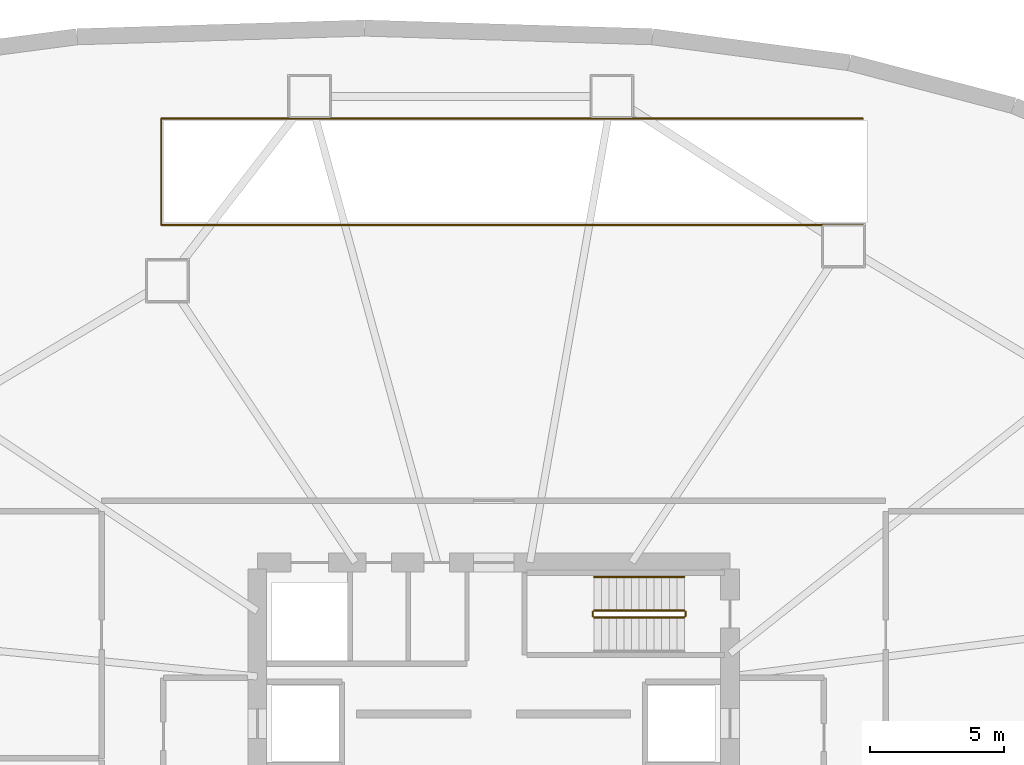
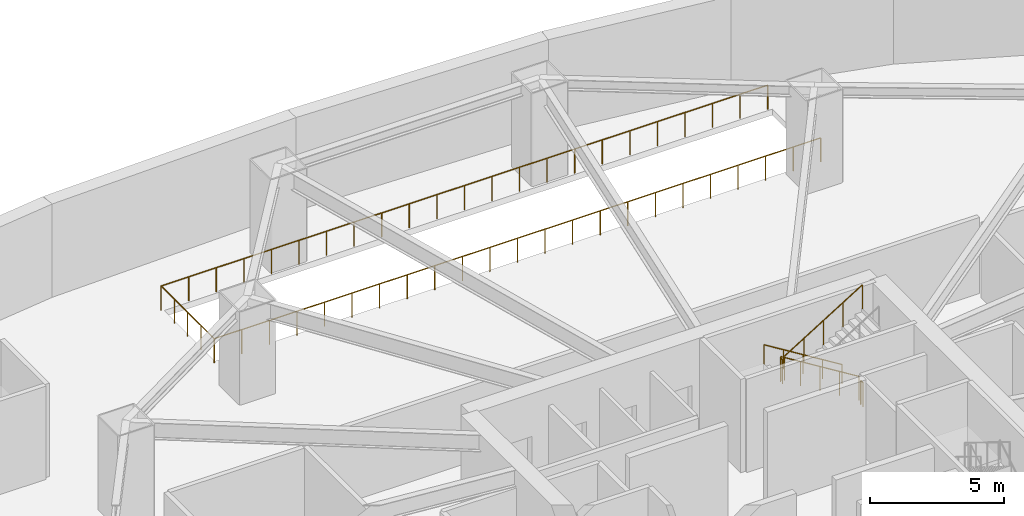
# One storey, part 10 of 10: 8 railings.
"""IFC4 building model written with IfcOpenShell, lengths in metres."""

from ifc_helpers import new_model, si_unit, direction, frame, origin, origin_2d, place, context, subcontext, project, spatial, circle, extrude, material, type_object, element, save


model = new_model("IFC4")

# Units and contexts
model_context = context("Model", 3, precision=1e-05, world=origin(), true_north=direction((0.0, 1.0)))
body_context = subcontext(model_context, "Body", "Model", "MODEL_VIEW")
ifc_project = project(units=[si_unit("LENGTHUNIT", "METRE"), si_unit("AREAUNIT", "SQUARE_METRE"), si_unit("VOLUMEUNIT", "CUBIC_METRE"), si_unit("PLANEANGLEUNIT", "RADIAN"), si_unit("MASSUNIT", "GRAM", prefix="KILO"), si_unit("THERMODYNAMICTEMPERATUREUNIT", "KELVIN")], contexts=[model_context])

# Site, building, storey
site_placement = place(None, origin())
site = spatial("IfcSite", under=ifc_project, at=site_placement, CompositionType="ELEMENT")
building_placement = place(site_placement, origin())
building = spatial("IfcBuilding", under=site, at=building_placement, Name="Kethvar Cultural Tower", CompositionType="ELEMENT")
storey_placement = place(building_placement, frame((0.0, 0.0, -4.5)))
storey = spatial("IfcBuildingStorey", under=building, at=storey_placement, Name="B01", CompositionType="ELEMENT", Elevation=-4.5)

# Railings
ifc_material = material(Name="Steel S355J2", Category="steel")
railing_type_1 = type_object("IfcRailingType", Name="RL-STAIR-GUARD", PredefinedType="BALUSTRADE", material=ifc_material)
railing_1_placement = place(storey_placement, frame((53.89990234375, 33.7099609375, 0.173095703125)))
element("IfcRailing", 1, at=railing_1_placement, inside=storey, type_object=railing_type_1, Name="B01 ST-03 stair guard 1", PredefinedType="BALUSTRADE", context=body_context, shape_type="SweptSolid", body=[
    extrude(circle(Radius=0.02392578125, at=origin_2d()), frame((0.0, 0.0, 1.09619140625), z_axis=(-0.850606129759, 0.0, 0.525803396734), x_axis=(0.0, -1.0, 0.0)), (0.0, 0.0, 1.0), 3.949951171875),
    extrude(circle(Radius=0.02099609375, at=origin_2d()), origin(), (0.0, 0.0, 1.0), 1.072021484375),
    extrude(circle(Radius=0.02099609375, at=origin_2d()), frame((-0.83984375, 0.0, 0.519287109375)), (0.0, 0.0, 1.0), 1.072021484375),
    extrude(circle(Radius=0.02099609375, at=origin_2d()), frame((-1.679931640625, 0.0, 1.03857421875)), (0.0, 0.0, 1.0), 1.072021484375),
    extrude(circle(Radius=0.02099609375, at=origin_2d()), frame((-2.52001953125, 0.0, 1.5576171875)), (0.0, 0.0, 1.0), 1.072021484375),
    extrude(circle(Radius=0.02099609375, at=origin_2d()), frame((-3.35986328125, 0.0, 2.076904296875)), (0.0, 0.0, 1.0), 1.072021484375),
])
railing_2_placement = place(storey_placement, frame((50.489990234375, 33.659912109375, 2.25)))
element("IfcRailing", 2, at=railing_2_placement, inside=storey, type_object=railing_type_1, Name="B01 ST-03 stair guard 2", PredefinedType="BALUSTRADE", context=body_context, shape_type="SweptSolid", body=[
    extrude(circle(Radius=0.02392578125, at=origin_2d()), frame((0.0, 0.0, 1.09619140625), z_axis=(0.0, -1.0, 0.0), x_axis=(1.0, 0.0, 0.0)), (0.0, 0.0, 1.0), 0.159912109375),
    extrude(circle(Radius=0.02099609375, at=origin_2d()), origin(), (0.0, 0.0, 1.0), 1.072021484375),
    extrude(circle(Radius=0.02099609375, at=origin_2d()), frame((0.0, -0.159912109375, 0.0)), (0.0, 0.0, 1.0), 1.072021484375),
])
railing_3_placement = place(storey_placement, frame((50.5400390625, 33.449951171875, 2.423095703125)))
element("IfcRailing", 3, at=railing_3_placement, inside=storey, type_object=railing_type_1, Name="B01 ST-03 stair guard 3", PredefinedType="BALUSTRADE", context=body_context, shape_type="SweptSolid", body=[
    extrude(circle(Radius=0.02392578125, at=origin_2d()), frame((0.0, 0.0, 1.09619140625), z_axis=(0.850606129759, 0.0, 0.525803396734), x_axis=(0.0, 1.0, 0.0)), (0.0, 0.0, 1.0), 3.949951171875),
    extrude(circle(Radius=0.02099609375, at=origin_2d()), origin(), (0.0, 0.0, 1.0), 1.072021484375),
    extrude(circle(Radius=0.02099609375, at=origin_2d()), frame((0.83984375, 0.0, 0.519287109375)), (0.0, 0.0, 1.0), 1.072021484375),
    extrude(circle(Radius=0.02099609375, at=origin_2d()), frame((1.679931640625, 0.0, 1.03857421875)), (0.0, 0.0, 1.0), 1.072021484375),
    extrude(circle(Radius=0.02099609375, at=origin_2d()), frame((2.52001953125, 0.0, 1.5576171875)), (0.0, 0.0, 1.0), 1.072021484375),
    extrude(circle(Radius=0.02099609375, at=origin_2d()), frame((3.35986328125, 0.0, 2.076904296875)), (0.0, 0.0, 1.0), 1.072021484375),
])
railing_4_placement = place(storey_placement, frame((53.949951171875, 33.659912109375, 0.0)))
element("IfcRailing", 4, at=railing_4_placement, inside=storey, type_object=railing_type_1, Name="B01 ST-03 stair guard 4", PredefinedType="BALUSTRADE", context=body_context, shape_type="SweptSolid", body=[
    extrude(circle(Radius=0.02392578125, at=origin_2d()), frame((0.0, 0.0, 1.09619140625), z_axis=(0.0, -1.0, 0.0), x_axis=(1.0, 0.0, 0.0)), (0.0, 0.0, 1.0), 0.159912109375),
    extrude(circle(Radius=0.02099609375, at=origin_2d()), origin(), (0.0, 0.0, 1.0), 1.072021484375),
    extrude(circle(Radius=0.02099609375, at=origin_2d()), frame((0.0, -0.159912109375, 0.0)), (0.0, 0.0, 1.0), 1.072021484375),
])
railing_5_placement = place(storey_placement, frame((60.550048828125, 48.070068359375, 0.0)))
element("IfcRailing", 5, at=railing_5_placement, inside=storey, type_object=railing_type_1, Name="B01 Vehicle Ramp Well Deck Guard S", PredefinedType="BALUSTRADE", context=body_context, shape_type="SweptSolid", body=[
    extrude(circle(Radius=0.02392578125, at=origin_2d()), frame((0.0, 0.0, 1.09619140625), z_axis=(-1.0, 0.0, 0.0), x_axis=(0.0, -1.0, 0.0)), (0.0, 0.0, 1.0), 26.130126953125),
    extrude(circle(Radius=0.02099609375, at=origin_2d()), origin(), (0.0, 0.0, 1.0), 1.072021484375),
    extrude(circle(Radius=0.02099609375, at=origin_2d()), frame((-1.187744140625, 0.0, 0.0)), (0.0, 0.0, 1.0), 1.072021484375),
    extrude(circle(Radius=0.02099609375, at=origin_2d()), frame((-2.37548828125, 0.0, 0.0)), (0.0, 0.0, 1.0), 1.072021484375),
    extrude(circle(Radius=0.02099609375, at=origin_2d()), frame((-3.563232421875, 0.0, 0.0)), (0.0, 0.0, 1.0), 1.072021484375),
    extrude(circle(Radius=0.02099609375, at=origin_2d()), frame((-4.7509765625, 0.0, 0.0)), (0.0, 0.0, 1.0), 1.072021484375),
    extrude(circle(Radius=0.02099609375, at=origin_2d()), frame((-5.938720703125, 0.0, 0.0)), (0.0, 0.0, 1.0), 1.072021484375),
    extrude(circle(Radius=0.02099609375, at=origin_2d()), frame((-7.12646484375, 0.0, 0.0)), (0.0, 0.0, 1.0), 1.072021484375),
    extrude(circle(Radius=0.02099609375, at=origin_2d()), frame((-8.314208984375, 0.0, 0.0)), (0.0, 0.0, 1.0), 1.072021484375),
    extrude(circle(Radius=0.02099609375, at=origin_2d()), frame((-9.501953125, 0.0, 0.0)), (0.0, 0.0, 1.0), 1.072021484375),
    extrude(circle(Radius=0.02099609375, at=origin_2d()), frame((-10.689697265625, 0.0, 0.0)), (0.0, 0.0, 1.0), 1.072021484375),
    extrude(circle(Radius=0.02099609375, at=origin_2d()), frame((-11.87744140625, 0.0, 0.0)), (0.0, 0.0, 1.0), 1.072021484375),
    extrude(circle(Radius=0.02099609375, at=origin_2d()), frame((-13.06494140625, 0.0, 0.0)), (0.0, 0.0, 1.0), 1.072021484375),
    extrude(circle(Radius=0.02099609375, at=origin_2d()), frame((-14.252685546875, 0.0, 0.0)), (0.0, 0.0, 1.0), 1.072021484375),
    extrude(circle(Radius=0.02099609375, at=origin_2d()), frame((-15.4404296875, 0.0, 0.0)), (0.0, 0.0, 1.0), 1.072021484375),
    extrude(circle(Radius=0.02099609375, at=origin_2d()), frame((-16.628173828125, 0.0, 0.0)), (0.0, 0.0, 1.0), 1.072021484375),
    extrude(circle(Radius=0.02099609375, at=origin_2d()), frame((-17.81591796875, 0.0, 0.0)), (0.0, 0.0, 1.0), 1.072021484375),
    extrude(circle(Radius=0.02099609375, at=origin_2d()), frame((-19.003662109375, 0.0, 0.0)), (0.0, 0.0, 1.0), 1.072021484375),
    extrude(circle(Radius=0.02099609375, at=origin_2d()), frame((-20.19140625, 0.0, 0.0)), (0.0, 0.0, 1.0), 1.072021484375),
    extrude(circle(Radius=0.02099609375, at=origin_2d()), frame((-21.379150390625, 0.0, 0.0)), (0.0, 0.0, 1.0), 1.072021484375),
    extrude(circle(Radius=0.02099609375, at=origin_2d()), frame((-22.56689453125, 0.0, 0.0)), (0.0, 0.0, 1.0), 1.072021484375),
    extrude(circle(Radius=0.02099609375, at=origin_2d()), frame((-23.754638671875, 0.0, 0.0)), (0.0, 0.0, 1.0), 1.072021484375),
    extrude(circle(Radius=0.02099609375, at=origin_2d()), frame((-24.9423828125, 0.0, 0.0)), (0.0, 0.0, 1.0), 1.072021484375),
    extrude(circle(Radius=0.02099609375, at=origin_2d()), frame((-26.130126953125, 0.0, 0.0)), (0.0, 0.0, 1.0), 1.072021484375),
])
railing_6_placement = place(storey_placement, frame((34.419921875, 48.070068359375, 0.0)))
element("IfcRailing", 6, at=railing_6_placement, inside=storey, type_object=railing_type_1, Name="B01 Vehicle Ramp Well Deck Guard W", PredefinedType="BALUSTRADE", context=body_context, shape_type="SweptSolid", body=[
    extrude(circle(Radius=0.02392578125, at=origin_2d()), frame((0.0, 0.0, 1.09619140625), z_axis=(0.0, 1.0, 0.0), x_axis=(-1.0, 0.0, 0.0)), (0.0, 0.0, 1.0), 3.9599609375),
    extrude(circle(Radius=0.02099609375, at=origin_2d()), origin(), (0.0, 0.0, 1.0), 1.072021484375),
    extrude(circle(Radius=0.02099609375, at=origin_2d()), frame((0.0, 0.989990234375, 0.0)), (0.0, 0.0, 1.0), 1.072021484375),
    extrude(circle(Radius=0.02099609375, at=origin_2d()), frame((0.0, 1.97998046875, 0.0)), (0.0, 0.0, 1.0), 1.072021484375),
    extrude(circle(Radius=0.02099609375, at=origin_2d()), frame((0.0, 2.969970703125, 0.0)), (0.0, 0.0, 1.0), 1.072021484375),
    extrude(circle(Radius=0.02099609375, at=origin_2d()), frame((0.0, 3.9599609375, 0.0)), (0.0, 0.0, 1.0), 1.072021484375),
])
railing_7_placement = place(storey_placement, frame((34.419921875, 52.030029296875, 0.0)))
element("IfcRailing", 7, at=railing_7_placement, inside=storey, type_object=railing_type_1, Name="B01 Vehicle Ramp Well Deck Guard N", PredefinedType="BALUSTRADE", context=body_context, shape_type="SweptSolid", body=[
    extrude(circle(Radius=0.02392578125, at=origin_2d()), frame((0.0, 0.0, 1.09619140625), z_axis=(1.0, 0.0, 0.0), x_axis=(0.0, 1.0, 0.0)), (0.0, 0.0, 1.0), 26.130126953125),
    extrude(circle(Radius=0.02099609375, at=origin_2d()), origin(), (0.0, 0.0, 1.0), 1.072021484375),
    extrude(circle(Radius=0.02099609375, at=origin_2d()), frame((1.187744140625, 0.0, 0.0)), (0.0, 0.0, 1.0), 1.072021484375),
    extrude(circle(Radius=0.02099609375, at=origin_2d()), frame((2.37548828125, 0.0, 0.0)), (0.0, 0.0, 1.0), 1.072021484375),
    extrude(circle(Radius=0.02099609375, at=origin_2d()), frame((3.563232421875, 0.0, 0.0)), (0.0, 0.0, 1.0), 1.072021484375),
    extrude(circle(Radius=0.02099609375, at=origin_2d()), frame((4.7509765625, 0.0, 0.0)), (0.0, 0.0, 1.0), 1.072021484375),
    extrude(circle(Radius=0.02099609375, at=origin_2d()), frame((5.938720703125, 0.0, 0.0)), (0.0, 0.0, 1.0), 1.072021484375),
    extrude(circle(Radius=0.02099609375, at=origin_2d()), frame((7.12646484375, 0.0, 0.0)), (0.0, 0.0, 1.0), 1.072021484375),
    extrude(circle(Radius=0.02099609375, at=origin_2d()), frame((8.314208984375, 0.0, 0.0)), (0.0, 0.0, 1.0), 1.072021484375),
    extrude(circle(Radius=0.02099609375, at=origin_2d()), frame((9.501953125, 0.0, 0.0)), (0.0, 0.0, 1.0), 1.072021484375),
    extrude(circle(Radius=0.02099609375, at=origin_2d()), frame((10.689697265625, 0.0, 0.0)), (0.0, 0.0, 1.0), 1.072021484375),
    extrude(circle(Radius=0.02099609375, at=origin_2d()), frame((11.87744140625, 0.0, 0.0)), (0.0, 0.0, 1.0), 1.072021484375),
    extrude(circle(Radius=0.02099609375, at=origin_2d()), frame((13.06494140625, 0.0, 0.0)), (0.0, 0.0, 1.0), 1.072021484375),
    extrude(circle(Radius=0.02099609375, at=origin_2d()), frame((14.252685546875, 0.0, 0.0)), (0.0, 0.0, 1.0), 1.072021484375),
    extrude(circle(Radius=0.02099609375, at=origin_2d()), frame((15.4404296875, 0.0, 0.0)), (0.0, 0.0, 1.0), 1.072021484375),
    extrude(circle(Radius=0.02099609375, at=origin_2d()), frame((16.628173828125, 0.0, 0.0)), (0.0, 0.0, 1.0), 1.072021484375),
    extrude(circle(Radius=0.02099609375, at=origin_2d()), frame((17.81591796875, 0.0, 0.0)), (0.0, 0.0, 1.0), 1.072021484375),
    extrude(circle(Radius=0.02099609375, at=origin_2d()), frame((19.003662109375, 0.0, 0.0)), (0.0, 0.0, 1.0), 1.072021484375),
    extrude(circle(Radius=0.02099609375, at=origin_2d()), frame((20.19140625, 0.0, 0.0)), (0.0, 0.0, 1.0), 1.072021484375),
    extrude(circle(Radius=0.02099609375, at=origin_2d()), frame((21.379150390625, 0.0, 0.0)), (0.0, 0.0, 1.0), 1.072021484375),
    extrude(circle(Radius=0.02099609375, at=origin_2d()), frame((22.56689453125, 0.0, 0.0)), (0.0, 0.0, 1.0), 1.072021484375),
    extrude(circle(Radius=0.02099609375, at=origin_2d()), frame((23.754638671875, 0.0, 0.0)), (0.0, 0.0, 1.0), 1.072021484375),
    extrude(circle(Radius=0.02099609375, at=origin_2d()), frame((24.9423828125, 0.0, 0.0)), (0.0, 0.0, 1.0), 1.072021484375),
    extrude(circle(Radius=0.02099609375, at=origin_2d()), frame((26.130126953125, 0.0, 0.0)), (0.0, 0.0, 1.0), 1.072021484375),
])
railing_type_2 = type_object("IfcRailingType", Name="RL-STAIR-HANDRAIL", PredefinedType="HANDRAIL", material=ifc_material)
railing_8_placement = place(storey_placement, frame((53.89990234375, 34.9599609375, 0.173095703125)))
element("IfcRailing", 8, at=railing_8_placement, inside=storey, type_object=railing_type_2, Name="B01 ST-03 stair handrail 1", PredefinedType="HANDRAIL", context=body_context, shape_type="SweptSolid", body=[
    extrude(circle(Radius=0.02392578125, at=origin_2d()), frame((0.0, 0.0, 0.8759765625), z_axis=(-0.850606129759, 0.0, 0.525803396734), x_axis=(0.0, -1.0, 0.0)), (0.0, 0.0, 1.0), 3.949951171875),
    extrude(circle(Radius=0.02099609375, at=origin_2d()), origin(), (0.0, 0.0, 1.0), 0.851806640625),
    extrude(circle(Radius=0.02099609375, at=origin_2d()), frame((-0.83984375, 0.0, 0.519287109375)), (0.0, 0.0, 1.0), 0.851806640625),
    extrude(circle(Radius=0.02099609375, at=origin_2d()), frame((-1.679931640625, 0.0, 1.03857421875)), (0.0, 0.0, 1.0), 0.851806640625),
    extrude(circle(Radius=0.02099609375, at=origin_2d()), frame((-2.52001953125, 0.0, 1.5576171875)), (0.0, 0.0, 1.0), 0.851806640625),
    extrude(circle(Radius=0.02099609375, at=origin_2d()), frame((-3.35986328125, 0.0, 2.076904296875)), (0.0, 0.0, 1.0), 0.851806640625),
])

save(model, "model.ifc")
